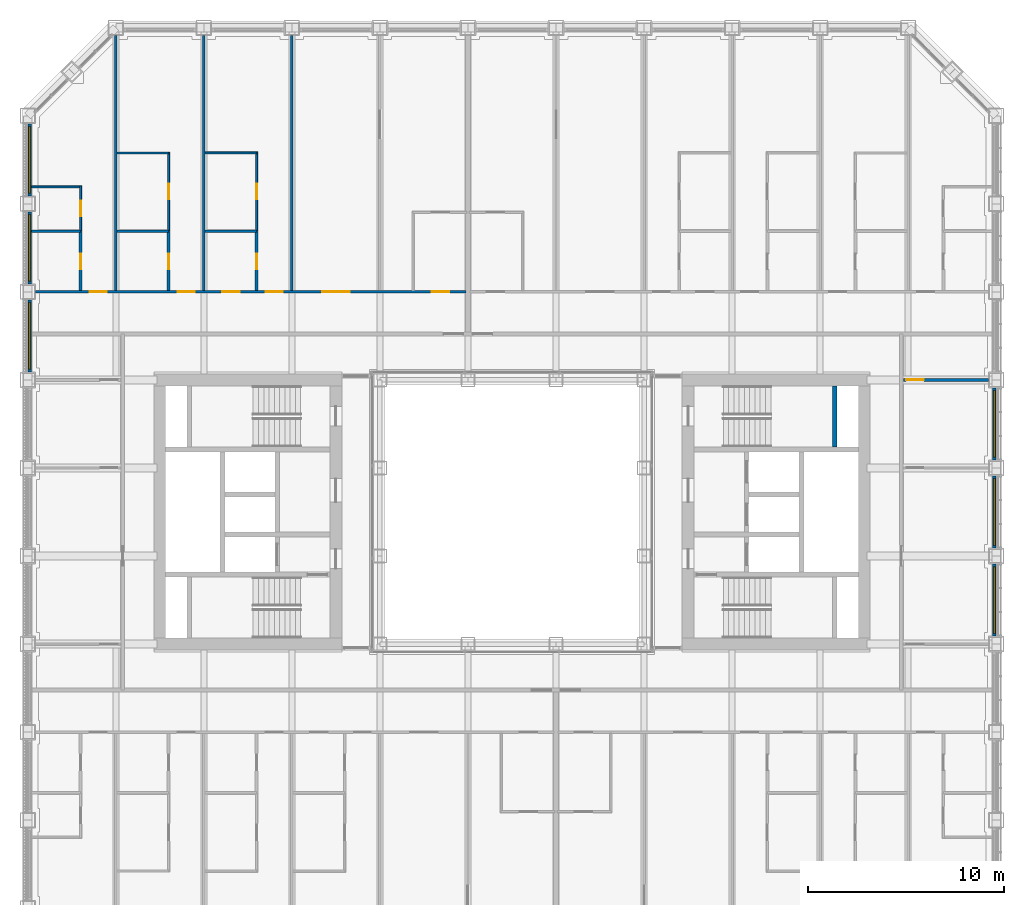
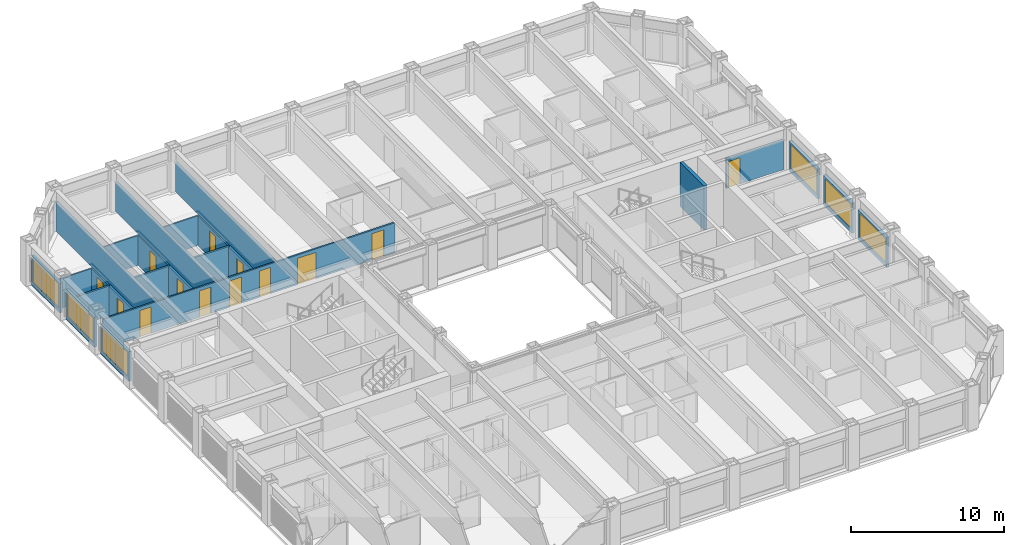
# One storey, part 13 of 21: 24 walls, 13 doors, 6 windows, 19 openings.
"""IFC4 building model written with IfcOpenShell, lengths in metres."""

from ifc_helpers import new_model, si_unit, direction, frame, frame_2d, origin, place, context, subcontext, project, spatial, rectangle, extrude, material, layer, layer_set, type_object, element, fill, save


model = new_model("IFC4")

# Units and contexts
model_context = context("Model", 3, precision=1e-05, world=origin(), true_north=direction((0.0, 1.0)))
body_context = subcontext(model_context, "Body", "Model", "MODEL_VIEW")
ifc_project = project(units=[si_unit("LENGTHUNIT", "METRE"), si_unit("AREAUNIT", "SQUARE_METRE"), si_unit("VOLUMEUNIT", "CUBIC_METRE"), si_unit("PLANEANGLEUNIT", "RADIAN"), si_unit("MASSUNIT", "GRAM", prefix="KILO")], contexts=[model_context])

# Site, building, storey
site_placement = place(None, origin())
site = spatial("IfcSite", under=ifc_project, at=site_placement, CompositionType="ELEMENT")
building_placement = place(site_placement, origin())
building = spatial("IfcBuilding", under=site, at=building_placement, Name="Msasa Ring Tower", CompositionType="ELEMENT")
storey_placement = place(building_placement, frame((0.0, 0.0, 86.0)))
storey = spatial("IfcBuildingStorey", under=building, at=storey_placement, Name="L22", CompositionType="ELEMENT", Elevation=86.0)

# Wall
ifc_material_1 = material(Name="Concrete C60/75", Category="concrete")
ifc_layer_1 = layer(ifc_material_1, 0.25)
ifc_layer_set_1 = layer_set([ifc_layer_1], Name="CW4 CORE INNER WALL 250")
wall_type_1 = type_object("IfcWallType", Name="CW4 CORE INNER WALL 250", PredefinedType="SHEAR", material=ifc_layer_set_1)
wall_1_placement = place(storey_placement, frame((16.5, 3.324951171875, 0.0), z_axis=(0.0, 0.0, 1.0), x_axis=(0.0, 1.0, 0.0)))
element("IfcWall", 1, at=wall_1_placement, inside=storey, type_object=wall_type_1, Name="E core wall RISERB L22", PredefinedType="SHEAR", context=body_context, shape_type="SweptSolid", body=[
    extrude(rectangle(XDim=3.125, YDim=0.25, at=frame_2d((1.5625, 0.0))), origin(), (0.0, 0.0, 1.0), 3.5),
])

# Wall, opening, window
ifc_material_2 = material(Name="Terracotta rainscreen on blockwork", Category="masonry")
ifc_layer_2 = layer(ifc_material_2, 0.199951171875)
ifc_layer_set_2 = layer_set([ifc_layer_2], Name="FW1 TERRACOTTA-LINED INFILL BAY WALL 200")
wall_type_2 = type_object("IfcWallType", Name="FW1 TERRACOTTA-LINED INFILL BAY WALL 200", PredefinedType="SOLIDWALL", material=ifc_layer_set_2)
wall_2_placement = place(storey_placement, frame((24.64990234375, -6.344970703125, 0.0), z_axis=(0.0, 0.0, 1.0), x_axis=(0.0, 1.0, 0.0)))
wall_2 = element("IfcWall", 2, at=wall_2_placement, inside=storey, type_object=wall_type_2, Name="Infill bay wall E L22 14", PredefinedType="SOLIDWALL", context=body_context, shape_type="SweptSolid", body=[
    extrude(rectangle(XDim=3.68994140625, YDim=0.199951171875, at=frame_2d((1.844970703125, 0.0))), origin(), (0.0, 0.0, 1.0), 2.37890625),
])
opening_1_placement = place(wall_2_placement, frame((0.14501953125, 0.0, 0.300048828125)))
opening_1 = element("IfcOpeningElement", 3, at=opening_1_placement, cuts=wall_2, Name="Opening WN1", PredefinedType="OPENING", context=body_context, shape_type="SweptSolid", body=[
    extrude(rectangle(XDim=3.39990234375, YDim=1.928955078125, at=frame_2d((1.699951171875, 0.96435546875))), frame((0.0, 0.10986328125, 0.0), z_axis=(0.0, -1.0, 0.0), x_axis=(1.0, 0.0, 0.0)), (0.0, 0.0, 1.0), 0.219970703125),
])
ifc_material_3 = material(Name="Aluminium frame with clear glass", Category="aluminium")
window_type = type_object("IfcWindowType", Name="WN1 RESIDENCE WINDOW 3400x1929", PartitioningType="SINGLE_PANEL", PredefinedType="WINDOW", material=ifc_material_3)
window_1_placement = place(opening_1_placement, origin())
window_1 = element("IfcWindow", 4, at=window_1_placement, inside=storey, type_object=window_type, Name="Window E L22 14", OverallHeight=1.928955078125, OverallWidth=3.39990234375, PartitioningType="SINGLE_PANEL", PredefinedType="WINDOW", context=body_context, shape_type="SweptSolid", body=[
    extrude(rectangle(XDim=3.39990234375, YDim=1.928955078125, at=frame_2d((1.699951171875, 0.96435546875))), frame((0.0, 0.030029296875, 0.0), z_axis=(0.0, -1.0, 0.0), x_axis=(1.0, 0.0, 0.0)), (0.0, 0.0, 1.0), 0.06005859375),
])
fill(opening_1, window_1)

wall_3_placement = place(storey_placement, frame((24.64990234375, -1.844970703125, 0.0), z_axis=(0.0, 0.0, 1.0), x_axis=(0.0, 1.0, 0.0)))
wall_3 = element("IfcWall", 5, at=wall_3_placement, inside=storey, type_object=wall_type_2, Name="Infill bay wall E L22 15", PredefinedType="SOLIDWALL", context=body_context, shape_type="SweptSolid", body=[
    extrude(rectangle(XDim=3.68994140625, YDim=0.199951171875, at=frame_2d((1.844970703125, 0.0))), origin(), (0.0, 0.0, 1.0), 2.37890625),
])
opening_2_placement = place(wall_3_placement, frame((0.14501953125, 0.0, 0.300048828125)))
opening_2 = element("IfcOpeningElement", 6, at=opening_2_placement, cuts=wall_3, Name="Opening WN1", PredefinedType="OPENING", context=body_context, shape_type="SweptSolid", body=[
    extrude(rectangle(XDim=3.39990234375, YDim=1.928955078125, at=frame_2d((1.699951171875, 0.96435546875))), frame((0.0, 0.10986328125, 0.0), z_axis=(0.0, -1.0, 0.0), x_axis=(1.0, 0.0, 0.0)), (0.0, 0.0, 1.0), 0.219970703125),
])
window_2_placement = place(opening_2_placement, origin())
window_2 = element("IfcWindow", 7, at=window_2_placement, inside=storey, type_object=window_type, Name="Window E L22 15", OverallHeight=1.928955078125, OverallWidth=3.39990234375, PartitioningType="SINGLE_PANEL", PredefinedType="WINDOW", context=body_context, shape_type="SweptSolid", body=[
    extrude(rectangle(XDim=3.39990234375, YDim=1.928955078125, at=frame_2d((1.699951171875, 0.96435546875))), frame((0.0, 0.030029296875, 0.0), z_axis=(0.0, -1.0, 0.0), x_axis=(1.0, 0.0, 0.0)), (0.0, 0.0, 1.0), 0.06005859375),
])
fill(opening_2, window_2)

wall_4_placement = place(storey_placement, frame((24.64990234375, 2.655029296875, 0.0), z_axis=(0.0, 0.0, 1.0), x_axis=(0.0, 1.0, 0.0)))
wall_4 = element("IfcWall", 8, at=wall_4_placement, inside=storey, type_object=wall_type_2, Name="Infill bay wall E L22 16", PredefinedType="SOLIDWALL", context=body_context, shape_type="SweptSolid", body=[
    extrude(rectangle(XDim=3.68994140625, YDim=0.199951171875, at=frame_2d((1.844970703125, 0.0))), origin(), (0.0, 0.0, 1.0), 2.37890625),
])
opening_3_placement = place(wall_4_placement, frame((0.14501953125, 0.0, 0.300048828125)))
opening_3 = element("IfcOpeningElement", 9, at=opening_3_placement, cuts=wall_4, Name="Opening WN1", PredefinedType="OPENING", context=body_context, shape_type="SweptSolid", body=[
    extrude(rectangle(XDim=3.39990234375, YDim=1.928955078125, at=frame_2d((1.699951171875, 0.96435546875))), frame((0.0, 0.10986328125, 0.0), z_axis=(0.0, -1.0, 0.0), x_axis=(1.0, 0.0, 0.0)), (0.0, 0.0, 1.0), 0.219970703125),
])
window_3_placement = place(opening_3_placement, origin())
window_3 = element("IfcWindow", 10, at=window_3_placement, inside=storey, type_object=window_type, Name="Window E L22 16", OverallHeight=1.928955078125, OverallWidth=3.39990234375, PartitioningType="SINGLE_PANEL", PredefinedType="WINDOW", context=body_context, shape_type="SweptSolid", body=[
    extrude(rectangle(XDim=3.39990234375, YDim=1.928955078125, at=frame_2d((1.699951171875, 0.96435546875))), frame((0.0, 0.030029296875, 0.0), z_axis=(0.0, -1.0, 0.0), x_axis=(1.0, 0.0, 0.0)), (0.0, 0.0, 1.0), 0.06005859375),
])
fill(opening_3, window_3)

wall_5_placement = place(storey_placement, frame((-24.64990234375, 7.155029296875, 0.0), z_axis=(0.0, 0.0, 1.0), x_axis=(0.0, 1.0, 0.0)))
wall_5 = element("IfcWall", 11, at=wall_5_placement, inside=storey, type_object=wall_type_2, Name="Infill bay wall W L22 39", PredefinedType="SOLIDWALL", context=body_context, shape_type="SweptSolid", body=[
    extrude(rectangle(XDim=3.68994140625, YDim=0.199951171875, at=frame_2d((1.844970703125, 0.0))), origin(), (0.0, 0.0, 1.0), 2.37890625),
])
opening_4_placement = place(wall_5_placement, frame((0.14501953125, 0.0, 0.300048828125)))
opening_4 = element("IfcOpeningElement", 12, at=opening_4_placement, cuts=wall_5, Name="Opening WN1", PredefinedType="OPENING", context=body_context, shape_type="SweptSolid", body=[
    extrude(rectangle(XDim=3.39990234375, YDim=1.928955078125, at=frame_2d((1.699951171875, 0.96435546875))), frame((0.0, 0.10986328125, 0.0), z_axis=(0.0, -1.0, 0.0), x_axis=(1.0, 0.0, 0.0)), (0.0, 0.0, 1.0), 0.219970703125),
])
window_4_placement = place(opening_4_placement, origin())
window_4 = element("IfcWindow", 13, at=window_4_placement, inside=storey, type_object=window_type, Name="Window W L22 39", OverallHeight=1.928955078125, OverallWidth=3.39990234375, PartitioningType="SINGLE_PANEL", PredefinedType="WINDOW", context=body_context, shape_type="SweptSolid", body=[
    extrude(rectangle(XDim=3.39990234375, YDim=1.928955078125, at=frame_2d((1.699951171875, 0.96435546875))), frame((0.0, 0.030029296875, 0.0), z_axis=(0.0, -1.0, 0.0), x_axis=(1.0, 0.0, 0.0)), (0.0, 0.0, 1.0), 0.06005859375),
])
fill(opening_4, window_4)

wall_6_placement = place(storey_placement, frame((-24.64990234375, 11.655029296875, 0.0), z_axis=(0.0, 0.0, 1.0), x_axis=(0.0, 1.0, 0.0)))
wall_6 = element("IfcWall", 14, at=wall_6_placement, inside=storey, type_object=wall_type_2, Name="Infill bay wall W L22 40", PredefinedType="SOLIDWALL", context=body_context, shape_type="SweptSolid", body=[
    extrude(rectangle(XDim=3.68994140625, YDim=0.199951171875, at=frame_2d((1.844970703125, 0.0))), origin(), (0.0, 0.0, 1.0), 2.37890625),
])
opening_5_placement = place(wall_6_placement, frame((0.14501953125, 0.0, 0.300048828125)))
opening_5 = element("IfcOpeningElement", 15, at=opening_5_placement, cuts=wall_6, Name="Opening WN1", PredefinedType="OPENING", context=body_context, shape_type="SweptSolid", body=[
    extrude(rectangle(XDim=3.39990234375, YDim=1.928955078125, at=frame_2d((1.699951171875, 0.96435546875))), frame((0.0, 0.10986328125, 0.0), z_axis=(0.0, -1.0, 0.0), x_axis=(1.0, 0.0, 0.0)), (0.0, 0.0, 1.0), 0.219970703125),
])
window_5_placement = place(opening_5_placement, origin())
window_5 = element("IfcWindow", 16, at=window_5_placement, inside=storey, type_object=window_type, Name="Window W L22 40", OverallHeight=1.928955078125, OverallWidth=3.39990234375, PartitioningType="SINGLE_PANEL", PredefinedType="WINDOW", context=body_context, shape_type="SweptSolid", body=[
    extrude(rectangle(XDim=3.39990234375, YDim=1.928955078125, at=frame_2d((1.699951171875, 0.96435546875))), frame((0.0, 0.030029296875, 0.0), z_axis=(0.0, -1.0, 0.0), x_axis=(1.0, 0.0, 0.0)), (0.0, 0.0, 1.0), 0.06005859375),
])
fill(opening_5, window_5)

wall_7_placement = place(storey_placement, frame((-24.64990234375, 16.155029296875, 0.0), z_axis=(0.0, 0.0, 1.0), x_axis=(0.0, 1.0, 0.0)))
wall_7 = element("IfcWall", 17, at=wall_7_placement, inside=storey, type_object=wall_type_2, Name="Infill bay wall W L22 41", PredefinedType="SOLIDWALL", context=body_context, shape_type="SweptSolid", body=[
    extrude(rectangle(XDim=3.68994140625, YDim=0.199951171875, at=frame_2d((1.844970703125, 0.0))), origin(), (0.0, 0.0, 1.0), 2.37890625),
])
opening_6_placement = place(wall_7_placement, frame((0.14501953125, 0.0, 0.300048828125)))
opening_6 = element("IfcOpeningElement", 18, at=opening_6_placement, cuts=wall_7, Name="Opening WN1", PredefinedType="OPENING", context=body_context, shape_type="SweptSolid", body=[
    extrude(rectangle(XDim=3.39990234375, YDim=1.928955078125, at=frame_2d((1.699951171875, 0.96435546875))), frame((0.0, 0.10986328125, 0.0), z_axis=(0.0, -1.0, 0.0), x_axis=(1.0, 0.0, 0.0)), (0.0, 0.0, 1.0), 0.219970703125),
])
window_6_placement = place(opening_6_placement, origin())
window_6 = element("IfcWindow", 19, at=window_6_placement, inside=storey, type_object=window_type, Name="Window W L22 41", OverallHeight=1.928955078125, OverallWidth=3.39990234375, PartitioningType="SINGLE_PANEL", PredefinedType="WINDOW", context=body_context, shape_type="SweptSolid", body=[
    extrude(rectangle(XDim=3.39990234375, YDim=1.928955078125, at=frame_2d((1.699951171875, 0.96435546875))), frame((0.0, 0.030029296875, 0.0), z_axis=(0.0, -1.0, 0.0), x_axis=(1.0, 0.0, 0.0)), (0.0, 0.0, 1.0), 0.06005859375),
])
fill(opening_6, window_6)

# Wall, opening, door
ifc_material_4 = material(Name="Gypsum board on steel studs", Category="steel")
ifc_layer_3 = layer(ifc_material_4, 0.10009765625)
ifc_layer_set_3 = layer_set([ifc_layer_3], Name="PT2 STUD PARTITION 100")
wall_type_3 = type_object("IfcWallType", Name="PT2 STUD PARTITION 100", PredefinedType="PARTITIONING", material=ifc_layer_set_3)
wall_8_placement = place(storey_placement, frame((-13.050048828125, 14.39990234375, 0.0), z_axis=(0.0, 0.0, 1.0), x_axis=(0.0, 1.0, 0.0)))
wall_8 = element("IfcWall", 20, at=wall_8_placement, inside=storey, type_object=wall_type_3, Name="Partition L22-VNWWX1", PredefinedType="PARTITIONING", context=body_context, shape_type="SweptSolid", body=[
    extrude(rectangle(XDim=4.003173828125, YDim=0.10009765625, at=frame_2d((2.00146484375, 0.0))), origin(), (0.0, 0.0, 1.0), 2.373291015625),
])
opening_7_placement = place(wall_8_placement, frame((1.576416015625, 0.0, 0.0)))
opening_7 = element("IfcOpeningElement", 21, at=opening_7_placement, cuts=wall_8, Name="Opening RF-004", PredefinedType="OPENING", context=body_context, shape_type="SweptSolid", body=[
    extrude(rectangle(XDim=0.800048828125, YDim=2.10009765625, at=frame_2d((0.39990234375, 1.050048828125))), frame((0.0, 0.06005859375, 0.0), z_axis=(0.0, -1.0, 0.0), x_axis=(1.0, 0.0, 0.0)), (0.0, 0.0, 1.0), 0.1201171875),
])
ifc_material_5 = material(Name="Timber door leaf in a steel frame", Category="steel")
door_type_1 = type_object("IfcDoorType", Name="D60 DRESSING ROOM DOOR 800x2100", OperationType="SINGLE_SWING_LEFT", PredefinedType="DOOR", material=ifc_material_5)
door_1_placement = place(opening_7_placement, origin())
door_1 = element("IfcDoor", 22, at=door_1_placement, inside=storey, type_object=door_type_1, Name="Door L22-VNWW1", OperationType="SINGLE_SWING_LEFT", OverallHeight=2.10009765625, OverallWidth=0.800048828125, PredefinedType="DOOR", context=body_context, shape_type="SweptSolid", body=[
    extrude(rectangle(XDim=0.800048828125, YDim=2.10009765625, at=frame_2d((0.39990234375, 1.050048828125))), frame((0.0, 0.02490234375, 0.0), z_axis=(0.0, -1.0, 0.0), x_axis=(1.0, 0.0, 0.0)), (0.0, 0.0, 1.0), 0.050048828125),
])
fill(opening_7, door_1)

# Wall
wall_9_placement = place(storey_placement, frame((-15.68994140625, 18.35302734375, 0.0), z_axis=(0.0, 0.0, 1.0), x_axis=(1.0, 0.0, 0.0)))
element("IfcWall", 23, at=wall_9_placement, inside=storey, type_object=wall_type_3, Name="Partition L22-VNWWY1", PredefinedType="PARTITIONING", context=body_context, shape_type="SweptSolid", body=[
    extrude(rectangle(XDim=2.639892578125, YDim=0.10009765625, at=frame_2d((1.31982421875, 0.0))), origin(), (0.0, 0.0, 1.0), 2.373291015625),
])

# Wall, opening, door
wall_10_placement = place(storey_placement, frame((-17.550048828125, 14.39990234375, 0.0), z_axis=(0.0, 0.0, 1.0), x_axis=(0.0, 1.0, 0.0)))
wall_10 = element("IfcWall", 24, at=wall_10_placement, inside=storey, type_object=wall_type_3, Name="Partition L22-VNWWX2", PredefinedType="PARTITIONING", context=body_context, shape_type="SweptSolid", body=[
    extrude(rectangle(XDim=4.00048828125, YDim=0.10009765625, at=frame_2d((2.000244140625, 0.0))), origin(), (0.0, 0.0, 1.0), 2.373291015625),
])
opening_8_placement = place(wall_10_placement, frame((1.5751953125, 0.0, 0.0)))
opening_8 = element("IfcOpeningElement", 25, at=opening_8_placement, cuts=wall_10, Name="Opening RF-003", PredefinedType="OPENING", context=body_context, shape_type="SweptSolid", body=[
    extrude(rectangle(XDim=0.800048828125, YDim=2.10009765625, at=frame_2d((0.39990234375, 1.050048828125))), frame((0.0, 0.06005859375, 0.0), z_axis=(0.0, -1.0, 0.0), x_axis=(1.0, 0.0, 0.0)), (0.0, 0.0, 1.0), 0.1201171875),
])
door_2_placement = place(opening_8_placement, origin())
door_2 = element("IfcDoor", 26, at=door_2_placement, inside=storey, type_object=door_type_1, Name="Door L22-VNWW2", OperationType="SINGLE_SWING_LEFT", OverallHeight=2.10009765625, OverallWidth=0.800048828125, PredefinedType="DOOR", context=body_context, shape_type="SweptSolid", body=[
    extrude(rectangle(XDim=0.800048828125, YDim=2.10009765625, at=frame_2d((0.39990234375, 1.050048828125))), frame((0.0, 0.02490234375, 0.0), z_axis=(0.0, -1.0, 0.0), x_axis=(1.0, 0.0, 0.0)), (0.0, 0.0, 1.0), 0.050048828125),
])
fill(opening_8, door_2)

# Wall
wall_11_placement = place(storey_placement, frame((-20.18994140625, 18.350341796875, 0.0), z_axis=(0.0, 0.0, 1.0), x_axis=(1.0, 0.0, 0.0)))
element("IfcWall", 27, at=wall_11_placement, inside=storey, type_object=wall_type_3, Name="Partition L22-VNWWY2", PredefinedType="PARTITIONING", context=body_context, shape_type="SweptSolid", body=[
    extrude(rectangle(XDim=2.639892578125, YDim=0.10009765625, at=frame_2d((1.31982421875, 0.0))), origin(), (0.0, 0.0, 1.0), 2.373291015625),
])

# Wall, opening, door
wall_12_placement = place(storey_placement, frame((-22.050048828125, 14.39990234375, 0.0), z_axis=(0.0, 0.0, 1.0), x_axis=(0.0, 1.0, 0.0)))
wall_12 = element("IfcWall", 28, at=wall_12_placement, inside=storey, type_object=wall_type_3, Name="Partition L22-VNWWX3", PredefinedType="PARTITIONING", context=body_context, shape_type="SweptSolid", body=[
    extrude(rectangle(XDim=2.273681640625, YDim=0.10009765625, at=frame_2d((1.13671875, 0.0))), origin(), (0.0, 0.0, 1.0), 2.373291015625),
])
opening_9_placement = place(wall_12_placement, frame((0.7119140625, 0.0, 0.0)))
opening_9 = element("IfcOpeningElement", 29, at=opening_9_placement, cuts=wall_12, Name="Opening RF-008", PredefinedType="OPENING", context=body_context, shape_type="SweptSolid", body=[
    extrude(rectangle(XDim=0.800048828125, YDim=2.10009765625, at=frame_2d((0.39990234375, 1.050048828125))), frame((0.0, 0.06005859375, 0.0), z_axis=(0.0, -1.0, 0.0), x_axis=(1.0, 0.0, 0.0)), (0.0, 0.0, 1.0), 0.1201171875),
])
door_3_placement = place(opening_9_placement, origin())
door_3 = element("IfcDoor", 30, at=door_3_placement, inside=storey, type_object=door_type_1, Name="Door L22-VNWW3", OperationType="SINGLE_SWING_LEFT", OverallHeight=2.10009765625, OverallWidth=0.800048828125, PredefinedType="DOOR", context=body_context, shape_type="SweptSolid", body=[
    extrude(rectangle(XDim=0.800048828125, YDim=2.10009765625, at=frame_2d((0.39990234375, 1.050048828125))), frame((0.0, 0.02490234375, 0.0), z_axis=(0.0, -1.0, 0.0), x_axis=(1.0, 0.0, 0.0)), (0.0, 0.0, 1.0), 0.050048828125),
])
fill(opening_9, door_3)

# Wall
wall_13_placement = place(storey_placement, frame((-24.550048828125, 16.62353515625, 0.0), z_axis=(0.0, 0.0, 1.0), x_axis=(1.0, 0.0, 0.0)))
element("IfcWall", 31, at=wall_13_placement, inside=storey, type_object=wall_type_3, Name="Partition L22-VNWWY3", PredefinedType="PARTITIONING", context=body_context, shape_type="SweptSolid", body=[
    extrude(rectangle(XDim=2.5, YDim=0.10009765625, at=frame_2d((1.25, 0.0))), origin(), (0.0, 0.0, 1.0), 2.373291015625),
])

# Wall, opening, door
ifc_material_6 = material(Name="Moisture-resistant board on steel studs with a concealed cistern and pipe void, tiled", Category="steel")
ifc_layer_4 = layer(ifc_material_6, 0.14990234375)
ifc_layer_set_4 = layer_set([ifc_layer_4], Name="PT4 BATHROOM WET WALL 150")
wall_type_4 = type_object("IfcWallType", Name="PT4 BATHROOM WET WALL 150", PredefinedType="PARTITIONING", material=ifc_layer_set_4)
wall_14_placement = place(storey_placement, frame((-13.050048828125, 11.3125, 0.0), z_axis=(0.0, 0.0, 1.0), x_axis=(0.0, 1.0, 0.0)))
wall_14 = element("IfcWall", 32, at=wall_14_placement, inside=storey, type_object=wall_type_4, Name="Partition L22-VNWBX1", PredefinedType="PARTITIONING", context=body_context, shape_type="SweptSolid", body=[
    extrude(rectangle(XDim=3.08740234375, YDim=0.14990234375, at=frame_2d((1.543701171875, 0.0))), origin(), (0.0, 0.0, 1.0), 2.373291015625),
])
opening_10_placement = place(wall_14_placement, frame((1.08740234375, 0.0, 0.0)))
opening_10 = element("IfcOpeningElement", 33, at=opening_10_placement, cuts=wall_14, Name="Opening RF-014", PredefinedType="OPENING", context=body_context, shape_type="SweptSolid", body=[
    extrude(rectangle(XDim=0.800048828125, YDim=2.10009765625, at=frame_2d((0.39990234375, 1.050048828125))), frame((0.0, 0.0849609375, 0.0), z_axis=(0.0, -1.0, 0.0), x_axis=(1.0, 0.0, 0.0)), (0.0, 0.0, 1.0), 0.169921875),
])
ifc_material_7 = material(Name="Timber door leaf in a steel frame", Category="steel")
door_type_2 = type_object("IfcDoorType", Name="D21 POCKET SLIDING BATHROOM DOOR 800x2100", OperationType="SINGLE_SWING_LEFT", PredefinedType="DOOR", material=ifc_material_7)
door_4_placement = place(opening_10_placement, origin())
door_4 = element("IfcDoor", 34, at=door_4_placement, inside=storey, type_object=door_type_2, Name="Door L22-VNWB1", OperationType="SINGLE_SWING_LEFT", OverallHeight=2.10009765625, OverallWidth=0.800048828125, PredefinedType="DOOR", context=body_context, shape_type="SweptSolid", body=[
    extrude(rectangle(XDim=0.800048828125, YDim=2.10009765625, at=frame_2d((0.39990234375, 1.050048828125))), frame((0.0, 0.02490234375, 0.0), z_axis=(0.0, -1.0, 0.0), x_axis=(1.0, 0.0, 0.0)), (0.0, 0.0, 1.0), 0.050048828125),
])
fill(opening_10, door_4)

# Wall
wall_15_placement = place(storey_placement, frame((-15.68994140625, 14.35009765625, 0.0), z_axis=(0.0, 0.0, 1.0), x_axis=(1.0, 0.0, 0.0)))
element("IfcWall", 35, at=wall_15_placement, inside=storey, type_object=wall_type_4, Name="Partition L22-VNWBY1", PredefinedType="PARTITIONING", context=body_context, shape_type="SweptSolid", body=[
    extrude(rectangle(XDim=2.639892578125, YDim=0.14990234375, at=frame_2d((1.31982421875, 0.0))), origin(), (0.0, 0.0, 1.0), 2.373291015625),
])

# Wall, opening, door
wall_16_placement = place(storey_placement, frame((-17.550048828125, 11.3125, 0.0), z_axis=(0.0, 0.0, 1.0), x_axis=(0.0, 1.0, 0.0)))
wall_16 = element("IfcWall", 36, at=wall_16_placement, inside=storey, type_object=wall_type_4, Name="Partition L22-VNWBX2", PredefinedType="PARTITIONING", context=body_context, shape_type="SweptSolid", body=[
    extrude(rectangle(XDim=3.08740234375, YDim=0.14990234375, at=frame_2d((1.543701171875, 0.0))), origin(), (0.0, 0.0, 1.0), 2.373291015625),
])
opening_11_placement = place(wall_16_placement, frame((1.08740234375, 0.0, 0.0)))
opening_11 = element("IfcOpeningElement", 37, at=opening_11_placement, cuts=wall_16, Name="Opening RF-013", PredefinedType="OPENING", context=body_context, shape_type="SweptSolid", body=[
    extrude(rectangle(XDim=0.800048828125, YDim=2.10009765625, at=frame_2d((0.39990234375, 1.050048828125))), frame((0.0, 0.0849609375, 0.0), z_axis=(0.0, -1.0, 0.0), x_axis=(1.0, 0.0, 0.0)), (0.0, 0.0, 1.0), 0.169921875),
])
door_5_placement = place(opening_11_placement, origin())
door_5 = element("IfcDoor", 38, at=door_5_placement, inside=storey, type_object=door_type_2, Name="Door L22-VNWB2", OperationType="SINGLE_SWING_LEFT", OverallHeight=2.10009765625, OverallWidth=0.800048828125, PredefinedType="DOOR", context=body_context, shape_type="SweptSolid", body=[
    extrude(rectangle(XDim=0.800048828125, YDim=2.10009765625, at=frame_2d((0.39990234375, 1.050048828125))), frame((0.0, 0.02490234375, 0.0), z_axis=(0.0, -1.0, 0.0), x_axis=(1.0, 0.0, 0.0)), (0.0, 0.0, 1.0), 0.050048828125),
])
fill(opening_11, door_5)

# Wall
wall_17_placement = place(storey_placement, frame((-20.18994140625, 14.35009765625, 0.0), z_axis=(0.0, 0.0, 1.0), x_axis=(1.0, 0.0, 0.0)))
element("IfcWall", 39, at=wall_17_placement, inside=storey, type_object=wall_type_4, Name="Partition L22-VNWBY2", PredefinedType="PARTITIONING", context=body_context, shape_type="SweptSolid", body=[
    extrude(rectangle(XDim=2.639892578125, YDim=0.14990234375, at=frame_2d((1.31982421875, 0.0))), origin(), (0.0, 0.0, 1.0), 2.373291015625),
])

# Wall, opening, door
wall_18_placement = place(storey_placement, frame((-22.050048828125, 11.3125, 0.0), z_axis=(0.0, 0.0, 1.0), x_axis=(0.0, 1.0, 0.0)))
wall_18 = element("IfcWall", 40, at=wall_18_placement, inside=storey, type_object=wall_type_4, Name="Partition L22-VNWBX3", PredefinedType="PARTITIONING", context=body_context, shape_type="SweptSolid", body=[
    extrude(rectangle(XDim=3.08740234375, YDim=0.14990234375, at=frame_2d((1.543701171875, 0.0))), origin(), (0.0, 0.0, 1.0), 2.373291015625),
])
opening_12_placement = place(wall_18_placement, frame((1.08740234375, 0.0, 0.0)))
opening_12 = element("IfcOpeningElement", 41, at=opening_12_placement, cuts=wall_18, Name="Opening RF-012", PredefinedType="OPENING", context=body_context, shape_type="SweptSolid", body=[
    extrude(rectangle(XDim=0.800048828125, YDim=2.10009765625, at=frame_2d((0.39990234375, 1.050048828125))), frame((0.0, 0.0849609375, 0.0), z_axis=(0.0, -1.0, 0.0), x_axis=(1.0, 0.0, 0.0)), (0.0, 0.0, 1.0), 0.169921875),
])
door_6_placement = place(opening_12_placement, origin())
door_6 = element("IfcDoor", 42, at=door_6_placement, inside=storey, type_object=door_type_2, Name="Door L22-VNWB3", OperationType="SINGLE_SWING_LEFT", OverallHeight=2.10009765625, OverallWidth=0.800048828125, PredefinedType="DOOR", context=body_context, shape_type="SweptSolid", body=[
    extrude(rectangle(XDim=0.800048828125, YDim=2.10009765625, at=frame_2d((0.39990234375, 1.050048828125))), frame((0.0, 0.02490234375, 0.0), z_axis=(0.0, -1.0, 0.0), x_axis=(1.0, 0.0, 0.0)), (0.0, 0.0, 1.0), 0.050048828125),
])
fill(opening_12, door_6)

# Wall
wall_19_placement = place(storey_placement, frame((-24.550048828125, 14.35009765625, 0.0), z_axis=(0.0, 0.0, 1.0), x_axis=(1.0, 0.0, 0.0)))
element("IfcWall", 43, at=wall_19_placement, inside=storey, type_object=wall_type_4, Name="Partition L22-VNWBY3", PredefinedType="PARTITIONING", context=body_context, shape_type="SweptSolid", body=[
    extrude(rectangle(XDim=2.5, YDim=0.14990234375, at=frame_2d((1.25, 0.0))), origin(), (0.0, 0.0, 1.0), 2.373291015625),
])

# Wall, opening, door
wall_20_placement = place(storey_placement, frame((20.0, 6.75, 0.0), z_axis=(0.0, 0.0, 1.0), x_axis=(1.0, 0.0, 0.0)))
wall_20 = element("IfcWall", 44, at=wall_20_placement, inside=storey, type_object=wall_type_4, Name="Partition L22-STEBY", PredefinedType="PARTITIONING", context=body_context, shape_type="SweptSolid", body=[
    extrude(rectangle(XDim=4.35009765625, YDim=0.14990234375, at=frame_2d((2.175048828125, 0.0))), origin(), (0.0, 0.0, 1.0), 2.373291015625),
])
opening_13_placement = place(wall_20_placement, frame((0.14990234375, 0.0, 0.0)))
opening_13 = element("IfcOpeningElement", 45, at=opening_13_placement, cuts=wall_20, Name="Opening RF-037", PredefinedType="OPENING", context=body_context, shape_type="SweptSolid", body=[
    extrude(rectangle(XDim=0.89990234375, YDim=2.10009765625, at=frame_2d((0.449951171875, 1.050048828125))), frame((0.0, 0.0849609375, 0.0), z_axis=(0.0, -1.0, 0.0), x_axis=(1.0, 0.0, 0.0)), (0.0, 0.0, 1.0), 0.169921875),
])
ifc_material_8 = material(Name="Timber door leaf in a steel frame", Category="steel")
door_type_3 = type_object("IfcDoorType", Name="D3 BATHROOM DOOR 900x2100", OperationType="SINGLE_SWING_LEFT", PredefinedType="DOOR", material=ifc_material_8)
door_7_placement = place(opening_13_placement, origin())
door_7 = element("IfcDoor", 46, at=door_7_placement, inside=storey, type_object=door_type_3, Name="Door L22-STEB", OperationType="SINGLE_SWING_LEFT", OverallHeight=2.10009765625, OverallWidth=0.89990234375, PredefinedType="DOOR", context=body_context, shape_type="SweptSolid", body=[
    extrude(rectangle(XDim=0.89990234375, YDim=2.10009765625, at=frame_2d((0.449951171875, 1.050048828125))), frame((0.0, 0.02490234375, 0.0), z_axis=(0.0, -1.0, 0.0), x_axis=(1.0, 0.0, 0.0)), (0.0, 0.0, 1.0), 0.050048828125),
])
fill(opening_13, door_7)

# Wall, openings, doors
ifc_material_9 = material(Name="Two layers of acoustic board each face on steel studs, mineral wool", Category="steel")
ifc_layer_5 = layer(ifc_material_9, 0.125)
ifc_layer_set_5 = layer_set([ifc_layer_5], Name="PT6 ACOUSTIC DOUBLE-BOARD PARTITION 125")
wall_type_5 = type_object("IfcWallType", Name="PT6 ACOUSTIC DOUBLE-BOARD PARTITION 125", PredefinedType="PARTITIONING", material=ifc_layer_set_5)
wall_21_placement = place(storey_placement, frame((-24.35009765625, 11.25, 0.0), z_axis=(0.0, 0.0, 1.0), x_axis=(1.0, 0.0, 0.0)))
wall_21 = element("IfcWall", 47, at=wall_21_placement, inside=storey, type_object=wall_type_5, Name="Partition L22-VNWHY", PredefinedType="PARTITIONING", context=body_context, shape_type="SweptSolid", body=[
    extrude(rectangle(XDim=22.0, YDim=0.125, at=frame_2d((11.0, 0.0))), origin(), (0.0, 0.0, 1.0), 2.373291015625),
])
opening_14_placement = place(wall_21_placement, frame((20.25, 0.0, 0.0)))
opening_14 = element("IfcOpeningElement", 48, at=opening_14_placement, cuts=wall_21, Name="Opening RF-024", PredefinedType="OPENING", context=body_context, shape_type="SweptSolid", body=[
    extrude(rectangle(XDim=0.89990234375, YDim=2.10009765625, at=frame_2d((0.449951171875, 1.050048828125))), frame((0.0, 0.072509765625, 0.0), z_axis=(0.0, -1.0, 0.0), x_axis=(1.0, 0.0, 0.0)), (0.0, 0.0, 1.0), 0.14501953125),
])
opening_15_placement = place(wall_21_placement, frame((14.64990234375, 0.0, 0.0)))
opening_15 = element("IfcOpeningElement", 49, at=opening_15_placement, cuts=wall_21, Name="Opening RF-023", PredefinedType="OPENING", context=body_context, shape_type="SweptSolid", body=[
    extrude(rectangle(XDim=1.39990234375, YDim=2.10009765625, at=frame_2d((0.699951171875, 1.050048828125))), frame((0.0, 0.072509765625, 0.0), z_axis=(0.0, -1.0, 0.0), x_axis=(1.0, 0.0, 0.0)), (0.0, 0.0, 1.0), 0.14501953125),
])
opening_16_placement = place(wall_21_placement, frame((11.77490234375, 0.0, 0.0)))
opening_16 = element("IfcOpeningElement", 50, at=opening_16_placement, cuts=wall_21, Name="Opening RF-022", PredefinedType="OPENING", context=body_context, shape_type="SweptSolid", body=[
    extrude(rectangle(XDim=0.85009765625, YDim=2.10009765625, at=frame_2d((0.425048828125, 1.050048828125))), frame((0.0, 0.072509765625, 0.0), z_axis=(0.0, -1.0, 0.0), x_axis=(1.0, 0.0, 0.0)), (0.0, 0.0, 1.0), 0.14501953125),
])
opening_17_placement = place(wall_21_placement, frame((9.530029296875, 0.0, 0.0)))
opening_17 = element("IfcOpeningElement", 51, at=opening_17_placement, cuts=wall_21, Name="Opening RF-021", PredefinedType="OPENING", context=body_context, shape_type="SweptSolid", body=[
    extrude(rectangle(XDim=0.89990234375, YDim=2.10009765625, at=frame_2d((0.449951171875, 1.050048828125))), frame((0.0, 0.072509765625, 0.0), z_axis=(0.0, -1.0, 0.0), x_axis=(1.0, 0.0, 0.0)), (0.0, 0.0, 1.0), 0.14501953125),
])
opening_18_placement = place(wall_21_placement, frame((7.27490234375, 0.0, 0.0)))
opening_18 = element("IfcOpeningElement", 52, at=opening_18_placement, cuts=wall_21, Name="Opening RF-020", PredefinedType="OPENING", context=body_context, shape_type="SweptSolid", body=[
    extrude(rectangle(XDim=0.85009765625, YDim=2.10009765625, at=frame_2d((0.425048828125, 1.050048828125))), frame((0.0, 0.072509765625, 0.0), z_axis=(0.0, -1.0, 0.0), x_axis=(1.0, 0.0, 0.0)), (0.0, 0.0, 1.0), 0.14501953125),
])
opening_19_placement = place(wall_21_placement, frame((2.77490234375, 0.0, 0.0)))
opening_19 = element("IfcOpeningElement", 53, at=opening_19_placement, cuts=wall_21, Name="Opening RF-019", PredefinedType="OPENING", context=body_context, shape_type="SweptSolid", body=[
    extrude(rectangle(XDim=0.85009765625, YDim=2.10009765625, at=frame_2d((0.425048828125, 1.050048828125))), frame((0.0, 0.072509765625, 0.0), z_axis=(0.0, -1.0, 0.0), x_axis=(1.0, 0.0, 0.0)), (0.0, 0.0, 1.0), 0.14501953125),
])
ifc_material_10 = material(Name="Timber door leaf in a steel frame", Category="steel")
door_type_4 = type_object("IfcDoorType", Name="D14 BEDROOM DOOR 850x2100", OperationType="SINGLE_SWING_LEFT", PredefinedType="DOOR", material=ifc_material_10)
door_8_placement = place(opening_16_placement, origin())
door_8 = element("IfcDoor", 54, at=door_8_placement, inside=storey, type_object=door_type_4, Name="Door L22-VNWR1", OperationType="SINGLE_SWING_RIGHT", OverallHeight=2.10009765625, OverallWidth=0.85009765625, PredefinedType="DOOR", context=body_context, shape_type="SweptSolid", body=[
    extrude(rectangle(XDim=0.85009765625, YDim=2.10009765625, at=frame_2d((0.425048828125, 1.050048828125))), frame((0.0, 0.02490234375, 0.0), z_axis=(0.0, -1.0, 0.0), x_axis=(1.0, 0.0, 0.0)), (0.0, 0.0, 1.0), 0.050048828125),
])
fill(opening_16, door_8)
door_9_placement = place(opening_18_placement, origin())
door_9 = element("IfcDoor", 55, at=door_9_placement, inside=storey, type_object=door_type_4, Name="Door L22-VNWR2", OperationType="SINGLE_SWING_LEFT", OverallHeight=2.10009765625, OverallWidth=0.85009765625, PredefinedType="DOOR", context=body_context, shape_type="SweptSolid", body=[
    extrude(rectangle(XDim=0.85009765625, YDim=2.10009765625, at=frame_2d((0.425048828125, 1.050048828125))), frame((0.0, 0.02490234375, 0.0), z_axis=(0.0, -1.0, 0.0), x_axis=(1.0, 0.0, 0.0)), (0.0, 0.0, 1.0), 0.050048828125),
])
fill(opening_18, door_9)
door_10_placement = place(opening_19_placement, origin())
door_10 = element("IfcDoor", 56, at=door_10_placement, inside=storey, type_object=door_type_4, Name="Door L22-VNWR3", OperationType="SINGLE_SWING_LEFT", OverallHeight=2.10009765625, OverallWidth=0.85009765625, PredefinedType="DOOR", context=body_context, shape_type="SweptSolid", body=[
    extrude(rectangle(XDim=0.85009765625, YDim=2.10009765625, at=frame_2d((0.425048828125, 1.050048828125))), frame((0.0, 0.02490234375, 0.0), z_axis=(0.0, -1.0, 0.0), x_axis=(1.0, 0.0, 0.0)), (0.0, 0.0, 1.0), 0.050048828125),
])
fill(opening_19, door_10)
ifc_material_11 = material(Name="Timber door leaf in a steel frame", Category="steel")
door_type_5 = type_object("IfcDoorType", Name="D15 LIVING ROOM PAIR OF GLAZED DOORS 1400x2100", OperationType="SINGLE_SWING_LEFT", PredefinedType="DOOR", material=ifc_material_11)
door_11_placement = place(opening_15_placement, origin())
door_11 = element("IfcDoor", 57, at=door_11_placement, inside=storey, type_object=door_type_5, Name="Door L22-VNWL", OperationType="SINGLE_SWING_RIGHT", OverallHeight=2.10009765625, OverallWidth=1.39990234375, PredefinedType="DOOR", context=body_context, shape_type="SweptSolid", body=[
    extrude(rectangle(XDim=1.39990234375, YDim=2.10009765625, at=frame_2d((0.699951171875, 1.050048828125))), frame((0.0, 0.02490234375, 0.0), z_axis=(0.0, -1.0, 0.0), x_axis=(1.0, 0.0, 0.0)), (0.0, 0.0, 1.0), 0.050048828125),
])
fill(opening_15, door_11)
ifc_material_12 = material(Name="Timber door leaf in a steel frame", Category="steel")
door_type_6 = type_object("IfcDoorType", Name="D22 INTERNAL HALL DOOR 900x2100", OperationType="SINGLE_SWING_LEFT", PredefinedType="DOOR", material=ifc_material_12)
door_12_placement = place(opening_14_placement, origin())
door_12 = element("IfcDoor", 58, at=door_12_placement, inside=storey, type_object=door_type_6, Name="Door L22-VNWK", OperationType="SINGLE_SWING_RIGHT", OverallHeight=2.10009765625, OverallWidth=0.89990234375, PredefinedType="DOOR", context=body_context, shape_type="SweptSolid", body=[
    extrude(rectangle(XDim=0.89990234375, YDim=2.10009765625, at=frame_2d((0.449951171875, 1.050048828125))), frame((0.0, 0.02490234375, 0.0), z_axis=(0.0, -1.0, 0.0), x_axis=(1.0, 0.0, 0.0)), (0.0, 0.0, 1.0), 0.050048828125),
])
fill(opening_14, door_12)
door_13_placement = place(opening_17_placement, origin())
door_13 = element("IfcDoor", 59, at=door_13_placement, inside=storey, type_object=door_type_3, Name="Door L22-VNWBH1", OperationType="SINGLE_SWING_LEFT", OverallHeight=2.10009765625, OverallWidth=0.89990234375, PredefinedType="DOOR", context=body_context, shape_type="SweptSolid", body=[
    extrude(rectangle(XDim=0.89990234375, YDim=2.10009765625, at=frame_2d((0.449951171875, 1.050048828125))), frame((0.0, 0.02490234375, 0.0), z_axis=(0.0, -1.0, 0.0), x_axis=(1.0, 0.0, 0.0)), (0.0, 0.0, 1.0), 0.050048828125),
])
fill(opening_17, door_13)

# Walls
for number, where, z_axis, x_axis, name in (
    (60, (-11.25, 11.3125, 0.0), (0.0, 0.0, 1.0), (0.0, 1.0, 0.0), "Partition L22-VNWP1"),
    (61, (-15.75, 11.3125, 0.0), (0.0, 0.0, 1.0), (0.0, 1.0, 0.0), "Partition L22-VNWP2"),
    (62, (-20.25, 11.3125, 0.0), (0.0, 0.0, 1.0), (0.0, 1.0, 0.0), "Partition L22-VNWP3"),
):
    element("IfcWall", number, at=place(storey_placement, frame(where, z_axis=z_axis, x_axis=x_axis)), inside=storey, type_object=wall_type_5, Name=name, PredefinedType="PARTITIONING", context=body_context, shape_type="SweptSolid", body=[
        extrude(rectangle(XDim=13.03759765625, YDim=0.125, at=frame_2d((6.518798828125, 0.0))), origin(), (0.0, 0.0, 1.0), 2.373291015625),
    ])

save(model, "model.ifc")
